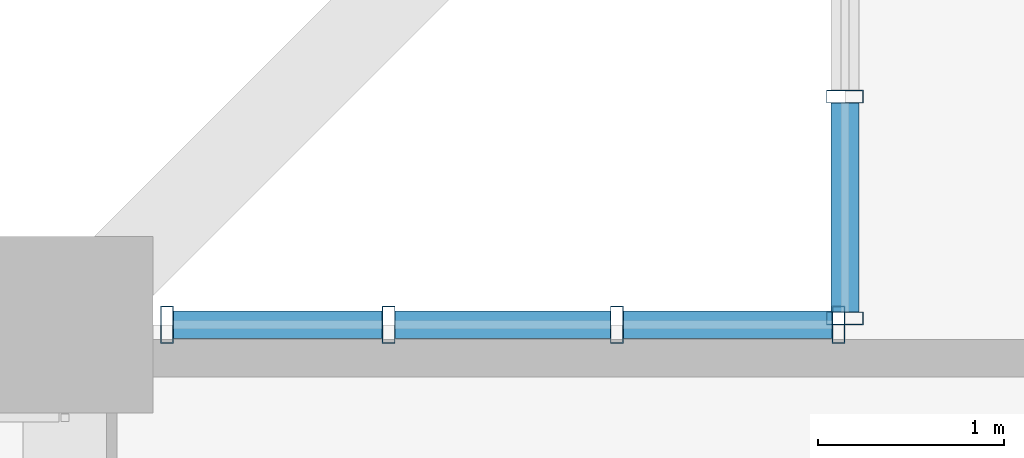
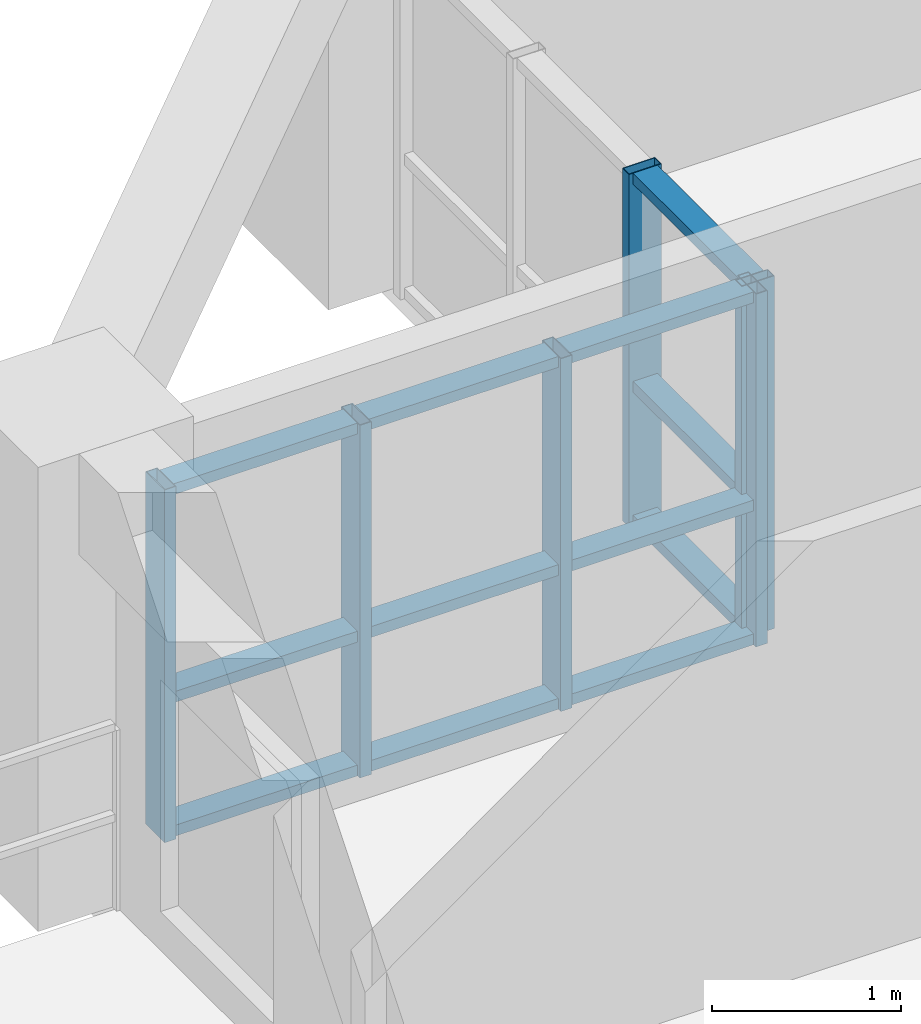
# One storey, part 6 of 22: 18 members, 2 elements without a shape of their own.
"""IFC4 building model written with IfcOpenShell, lengths in metres."""

from ifc_helpers import new_model, si_unit, direction, frame, origin, origin_2d, place, context, subcontext, project, spatial, hollow_rectangle, extrude, source, transform, mapped, material, layer, layer_set, material_profile, profile_set, type_object, element, aggregate, save


model = new_model("IFC4")

# Units and contexts
model_context = context("Model", 3, precision=1e-05, world=origin(), true_north=direction((0.0, 1.0)))
body_context = subcontext(model_context, "Body", "Model", "MODEL_VIEW")
ifc_project = project(units=[si_unit("LENGTHUNIT", "METRE"), si_unit("AREAUNIT", "SQUARE_METRE"), si_unit("VOLUMEUNIT", "CUBIC_METRE"), si_unit("PLANEANGLEUNIT", "RADIAN"), si_unit("MASSUNIT", "GRAM", prefix="KILO")], contexts=[model_context])

# Site, building, storey
site_placement = place(None, origin())
site = spatial("IfcSite", under=ifc_project, at=site_placement, CompositionType="ELEMENT")
building_placement = place(site_placement, origin())
building = spatial("IfcBuilding", under=site, at=building_placement, Name="Saelheon Loggia Tower", CompositionType="ELEMENT")
storey_placement = place(building_placement, frame((0.0, 0.0, 135.75)))
storey = spatial("IfcBuildingStorey", under=building, at=storey_placement, Name="L43", CompositionType="ELEMENT", Elevation=135.75)

# Curtain wall, members
ifc_material_1 = material(Name="High-Wind Aluminium and Triple Laminated Glass", Category="aluminium")
ifc_layer = layer(ifc_material_1, 0.179931640625)
ifc_layer_set = layer_set([ifc_layer], Name="High-Wind Aluminium and Triple Laminated Glass")
curtain_wall_type = type_object("IfcCurtainWallType", Name="CW_TowerLoggiaHigh", PredefinedType="NOTDEFINED", material=ifc_layer_set)
curtain_wall_1_placement = place(storey_placement, origin())
curtain_wall_1 = element("IfcCurtainWall", 1, at=curtain_wall_1_placement, inside=storey, type_object=curtain_wall_type, Name="L43 Corner Notch Glazing NW1", PredefinedType="NOTDEFINED")
ifc_material_2 = material(Name="Anodised Aluminium 6063-T6", Category="aluminium")
ifc_material_profile_1 = material_profile(ifc_material_2, hollow_rectangle(XDim=0.070068359375, YDim=0.199951171875, WallThickness=0.0048828125, at=origin_2d()), Name="RHS-200x70x5")
ifc_profile_set_1 = profile_set([ifc_material_profile_1], Name="Anodised Aluminium 6063-T6")
member_type_1 = type_object("IfcMemberType", Name="CW_TowerLoggiaHigh_Mullion", PredefinedType="MULLION", material=ifc_profile_set_1)
shared_shape_1 = source(origin(), body_context, "Body", "SweptSolid", [
    extrude(hollow_rectangle(XDim=0.070068359375, YDim=0.199951171875, WallThickness=0.0048828125, at=origin_2d()), origin(), (0.0, 0.0, 1.0), 2.280029296875),
])
member_1_placement = place(storey_placement, frame((16.199951171875, 46.8349609375, 0.0), z_axis=(0.0, 0.0, 1.0), x_axis=(0.0, 1.0, 0.0)))
member_1 = element("IfcMember", 2, at=member_1_placement, type_object=member_type_1, Name="CW4 mullion 1", PredefinedType="MULLION", context=body_context, shape_type="MappedRepresentation", body=[
    mapped(shared_shape_1, transform((0.0, 0.0, 0.0), scale=1.0)),
])
member_2_placement = place(storey_placement, frame((16.199951171875, 48.0283203125, 0.0), z_axis=(0.0, 0.0, 1.0), x_axis=(0.0, 1.0, 0.0)))
member_2 = element("IfcMember", 3, at=member_2_placement, type_object=member_type_1, Name="CW4 mullion 2", PredefinedType="MULLION", context=body_context, shape_type="MappedRepresentation", body=[
    mapped(shared_shape_1, transform((0.0, 0.0, 0.0), scale=1.0)),
])

curtain_wall_2_placement = place(storey_placement, origin())
curtain_wall_2 = element("IfcCurtainWall", 4, at=curtain_wall_2_placement, inside=storey, type_object=curtain_wall_type, Name="L43 Corner Notch Glazing NW2", PredefinedType="NOTDEFINED")
member_3_placement = place(storey_placement, frame((12.550048828125, 46.800048828125, 0.0), z_axis=(0.0, 0.0, 1.0), x_axis=(1.0, 0.0, 0.0)))
member_3 = element("IfcMember", 5, at=member_3_placement, type_object=member_type_1, Name="CW4 mullion 1", PredefinedType="MULLION", context=body_context, shape_type="MappedRepresentation", body=[
    mapped(shared_shape_1, transform((0.0, 0.0, 0.0), scale=1.0)),
])
member_4_placement = place(storey_placement, frame((13.743408203125, 46.800048828125, 0.0), z_axis=(0.0, 0.0, 1.0), x_axis=(1.0, 0.0, 0.0)))
member_4 = element("IfcMember", 6, at=member_4_placement, type_object=member_type_1, Name="CW4 mullion 2", PredefinedType="MULLION", context=body_context, shape_type="MappedRepresentation", body=[
    mapped(shared_shape_1, transform((0.0, 0.0, 0.0), scale=1.0)),
])
member_5_placement = place(storey_placement, frame((14.9716796875, 46.800048828125, 0.0), z_axis=(0.0, 0.0, 1.0), x_axis=(1.0, 0.0, 0.0)))
member_5 = element("IfcMember", 7, at=member_5_placement, type_object=member_type_1, Name="CW4 mullion 3", PredefinedType="MULLION", context=body_context, shape_type="MappedRepresentation", body=[
    mapped(shared_shape_1, transform((0.0, 0.0, 0.0), scale=1.0)),
])
member_6_placement = place(storey_placement, frame((16.1650390625, 46.800048828125, 0.0), z_axis=(0.0, 0.0, 1.0), x_axis=(1.0, 0.0, 0.0)))
member_6 = element("IfcMember", 8, at=member_6_placement, type_object=member_type_1, Name="CW4 mullion 4", PredefinedType="MULLION", context=body_context, shape_type="MappedRepresentation", body=[
    mapped(shared_shape_1, transform((0.0, 0.0, 0.0), scale=1.0)),
])

# Member
ifc_material_profile_2 = material_profile(ifc_material_2, hollow_rectangle(XDim=0.070068359375, YDim=0.14990234375, WallThickness=0.0048828125, at=origin_2d()), Name="RHS-150x70x5")
ifc_profile_set_2 = profile_set([ifc_material_profile_2], Name="Anodised Aluminium 6063-T6")
member_type_2 = type_object("IfcMemberType", Name="CW_TowerLoggiaHigh_Transom", PredefinedType="USERDEFINED", material=ifc_profile_set_2)
shared_shape_2 = source(origin(), body_context, "Body", "SweptSolid", [
    extrude(hollow_rectangle(XDim=0.070068359375, YDim=0.14990234375, WallThickness=0.0048828125, at=origin_2d()), origin(), (0.0, 0.0, 1.0), 1.123291015625),
])
member_7_placement = place(storey_placement, frame((16.199951171875, 46.8701171875, 0.034912109375), z_axis=(0.0, 1.0, 0.0), x_axis=(0.0, 0.0, 1.0)))
member_7 = element("IfcMember", 9, at=member_7_placement, type_object=member_type_2, Name="CW4 transom 1.1", ObjectType="TRANSOM", PredefinedType="USERDEFINED", context=body_context, shape_type="MappedRepresentation", body=[
    mapped(shared_shape_2, transform((0.0, 0.0, 0.0), scale=1.0)),
])

member_8_placement = place(storey_placement, frame((16.199951171875, 46.8701171875, 0.89990234375), z_axis=(0.0, 1.0, 0.0), x_axis=(0.0, 0.0, 1.0)))
member_8 = element("IfcMember", 10, at=member_8_placement, type_object=member_type_2, Name="CW4 transom 1.2", ObjectType="TRANSOM", PredefinedType="USERDEFINED", context=body_context, shape_type="MappedRepresentation", body=[
    mapped(shared_shape_2, transform((0.0, 0.0, 0.0), scale=1.0)),
])

member_9_placement = place(storey_placement, frame((16.199951171875, 46.8701171875, 2.2451171875), z_axis=(0.0, 1.0, 0.0), x_axis=(0.0, 0.0, 1.0)))
member_9 = element("IfcMember", 11, at=member_9_placement, type_object=member_type_2, Name="CW4 transom 1.3", ObjectType="TRANSOM", PredefinedType="USERDEFINED", context=body_context, shape_type="MappedRepresentation", body=[
    mapped(shared_shape_2, transform((0.0, 0.0, 0.0), scale=1.0)),
])

aggregate(curtain_wall_1, [member_1, member_2, member_7, member_8, member_9])

member_10_placement = place(storey_placement, frame((12.5849609375, 46.800048828125, 0.034912109375), z_axis=(1.0, 0.0, 0.0), x_axis=(0.0, 0.0, 1.0)))
member_10 = element("IfcMember", 12, at=member_10_placement, type_object=member_type_2, Name="CW4 transom 1.1", ObjectType="TRANSOM", PredefinedType="USERDEFINED", context=body_context, shape_type="MappedRepresentation", body=[
    mapped(shared_shape_2, transform((0.0, 0.0, 0.0), scale=1.0)),
])

member_11_placement = place(storey_placement, frame((12.5849609375, 46.800048828125, 0.89990234375), z_axis=(1.0, 0.0, 0.0), x_axis=(0.0, 0.0, 1.0)))
member_11 = element("IfcMember", 13, at=member_11_placement, type_object=member_type_2, Name="CW4 transom 1.2", ObjectType="TRANSOM", PredefinedType="USERDEFINED", context=body_context, shape_type="MappedRepresentation", body=[
    mapped(shared_shape_2, transform((0.0, 0.0, 0.0), scale=1.0)),
])

member_12_placement = place(storey_placement, frame((12.5849609375, 46.800048828125, 2.2451171875), z_axis=(1.0, 0.0, 0.0), x_axis=(0.0, 0.0, 1.0)))
member_12 = element("IfcMember", 14, at=member_12_placement, type_object=member_type_2, Name="CW4 transom 1.3", ObjectType="TRANSOM", PredefinedType="USERDEFINED", context=body_context, shape_type="MappedRepresentation", body=[
    mapped(shared_shape_2, transform((0.0, 0.0, 0.0), scale=1.0)),
])

member_13_placement = place(storey_placement, frame((15.006591796875, 46.800048828125, 0.034912109375), z_axis=(1.0, 0.0, 0.0), x_axis=(0.0, 0.0, 1.0)))
member_13 = element("IfcMember", 15, at=member_13_placement, type_object=member_type_2, Name="CW4 transom 3.1", ObjectType="TRANSOM", PredefinedType="USERDEFINED", context=body_context, shape_type="MappedRepresentation", body=[
    mapped(shared_shape_2, transform((0.0, 0.0, 0.0), scale=1.0)),
])

member_14_placement = place(storey_placement, frame((15.006591796875, 46.800048828125, 0.89990234375), z_axis=(1.0, 0.0, 0.0), x_axis=(0.0, 0.0, 1.0)))
member_14 = element("IfcMember", 16, at=member_14_placement, type_object=member_type_2, Name="CW4 transom 3.2", ObjectType="TRANSOM", PredefinedType="USERDEFINED", context=body_context, shape_type="MappedRepresentation", body=[
    mapped(shared_shape_2, transform((0.0, 0.0, 0.0), scale=1.0)),
])

member_15_placement = place(storey_placement, frame((15.006591796875, 46.800048828125, 2.2451171875), z_axis=(1.0, 0.0, 0.0), x_axis=(0.0, 0.0, 1.0)))
member_15 = element("IfcMember", 17, at=member_15_placement, type_object=member_type_2, Name="CW4 transom 3.3", ObjectType="TRANSOM", PredefinedType="USERDEFINED", context=body_context, shape_type="MappedRepresentation", body=[
    mapped(shared_shape_2, transform((0.0, 0.0, 0.0), scale=1.0)),
])

shared_shape_3 = source(origin(), body_context, "Body", "SweptSolid", [
    extrude(hollow_rectangle(XDim=0.070068359375, YDim=0.14990234375, WallThickness=0.0048828125, at=origin_2d()), origin(), (0.0, 0.0, 1.0), 1.158447265625),
])
member_16_placement = place(storey_placement, frame((13.7783203125, 46.800048828125, 0.034912109375), z_axis=(1.0, 0.0, 0.0), x_axis=(0.0, 0.0, 1.0)))
member_16 = element("IfcMember", 18, at=member_16_placement, type_object=member_type_2, Name="CW4 transom 2.1", ObjectType="TRANSOM", PredefinedType="USERDEFINED", context=body_context, shape_type="MappedRepresentation", body=[
    mapped(shared_shape_3, transform((0.0, 0.0, 0.0), scale=1.0)),
])

member_17_placement = place(storey_placement, frame((13.7783203125, 46.800048828125, 0.89990234375), z_axis=(1.0, 0.0, 0.0), x_axis=(0.0, 0.0, 1.0)))
member_17 = element("IfcMember", 19, at=member_17_placement, type_object=member_type_2, Name="CW4 transom 2.2", ObjectType="TRANSOM", PredefinedType="USERDEFINED", context=body_context, shape_type="MappedRepresentation", body=[
    mapped(shared_shape_3, transform((0.0, 0.0, 0.0), scale=1.0)),
])

member_18_placement = place(storey_placement, frame((13.7783203125, 46.800048828125, 2.2451171875), z_axis=(1.0, 0.0, 0.0), x_axis=(0.0, 0.0, 1.0)))
member_18 = element("IfcMember", 20, at=member_18_placement, type_object=member_type_2, Name="CW4 transom 2.3", ObjectType="TRANSOM", PredefinedType="USERDEFINED", context=body_context, shape_type="MappedRepresentation", body=[
    mapped(shared_shape_3, transform((0.0, 0.0, 0.0), scale=1.0)),
])

aggregate(curtain_wall_2, [member_3, member_4, member_5, member_6, member_10, member_11, member_12, member_16, member_17, member_18, member_13, member_14, member_15])

save(model, "model.ifc")
